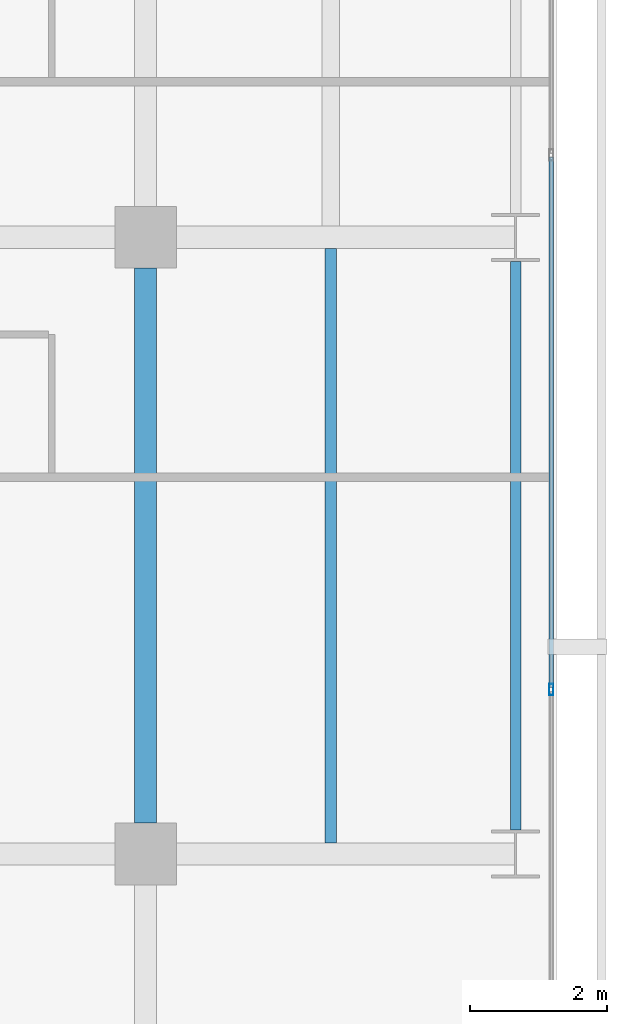
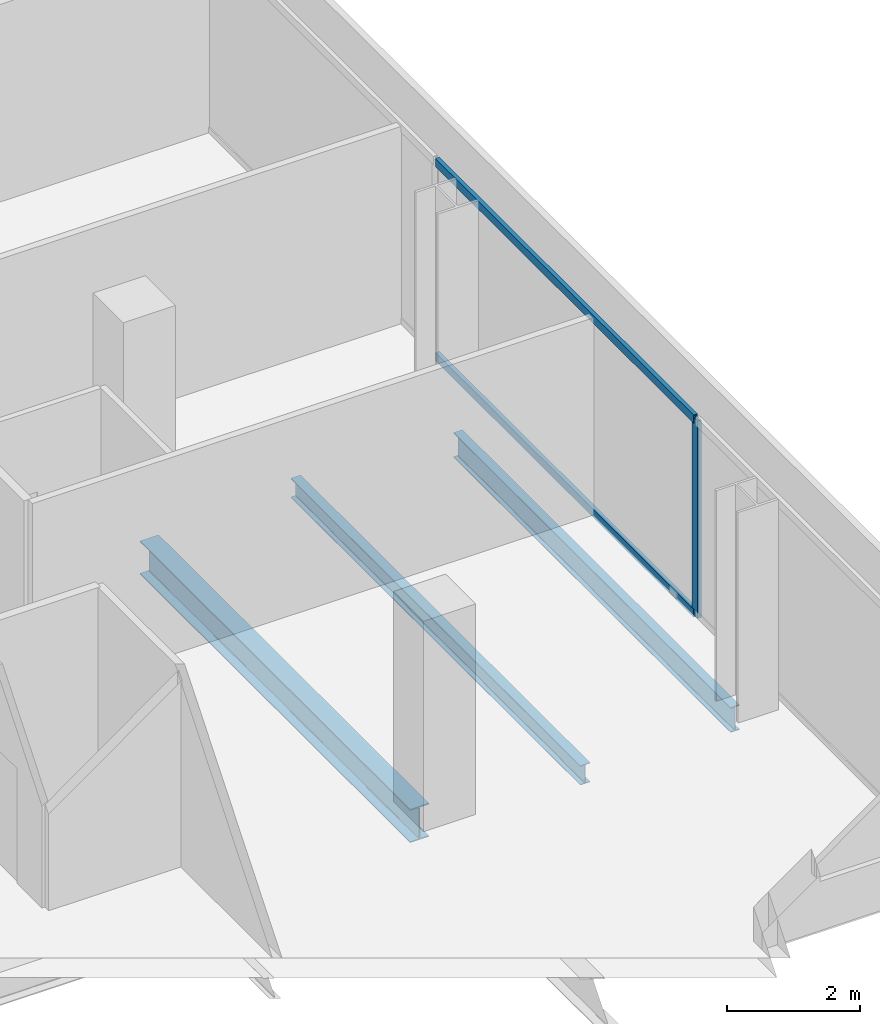
# One storey, part 17 of 40: 3 beams, 3 members, 1 element without a shape of its own.
"""IFC4 building model written with IfcOpenShell, lengths in metres."""

import ifcopenshell
import ifcopenshell.guid

model = None  # the IFC model being written
_history = None  # IfcOwnerHistory: only IFC2X3 demands one
_inside = {}  # id of a spatial element -> (the spatial element, [elements in it])
_under = {}  # id of a project, library or spatial element -> (it, [spatial elements below it])
_declared = {}  # id of a project -> (the project, [libraries it declares])
_typed = {}  # id of a type object -> (the type object, [elements of that type])
_made_of = {}  # id of a material, layer set ... -> (it, [elements and type objects made of it])


def new_model(schema):
    """Start an empty IFC model of exactly this schema.

    Asked for "IFC4X3", IfcOpenShell would pick the latest addendum, in which some entities
    have other attributes; the version numbers below select the first issue.
    IFC2X3 requires an IfcOwnerHistory on every rooted entity: one is made here for all.
    """
    global model, _history
    if schema == "IFC4X3":
        model = ifcopenshell.file(schema_version=(4, 3, 0, 0))
    else:
        model = ifcopenshell.file(schema=schema)
    _inside.clear()
    _under.clear()
    _declared.clear()
    _typed.clear()
    _made_of.clear()
    _history = None
    if model.schema == "IFC2X3":
        org = make("IfcOrganization", Name="unknown")
        user = make(
            "IfcPersonAndOrganization",
            ThePerson=make("IfcPerson", FamilyName="unknown"),
            TheOrganization=org,
        )
        app = make(
            "IfcApplication",
            ApplicationDeveloper=org,
            Version="unknown",
            ApplicationFullName="unknown",
            ApplicationIdentifier="unknown",
        )
        _history = make(
            "IfcOwnerHistory",
            OwningUser=user,
            OwningApplication=app,
            ChangeAction="ADDED",
            CreationDate=0,
        )
    return model


def make(cls, **values):
    """One entity of the class cls with the attributes given. An attribute that is None is left unset."""
    return model.create_entity(
        cls, **{name: value for name, value in values.items() if value is not None}
    )


def rooted(cls, **values):
    """An entity with a GlobalId (a new one), such as an element, a storey or a relation."""
    return make(cls, GlobalId=ifcopenshell.guid.new(), OwnerHistory=_history, **values)


def si_unit(unit_type, name, prefix=None):
    """IfcSIUnit, for example si_unit("LENGTHUNIT", "METRE", prefix="MILLI")."""
    return make("IfcSIUnit", UnitType=unit_type, Prefix=prefix, Name=name)


def assignment(units):
    """IfcUnitAssignment: the units of a project."""
    return None if units is None else make("IfcUnitAssignment", Units=units)


def point(xyz):
    """IfcCartesianPoint."""
    return None if xyz is None else make("IfcCartesianPoint", Coordinates=xyz)


def direction(xyz):
    """IfcDirection."""
    return None if xyz is None else make("IfcDirection", DirectionRatios=xyz)


def frame(location, z_axis=None, x_axis=None):
    """IfcAxis2Placement3D, a coordinate frame: its origin and axes. An axis left out is left unset."""
    return make(
        "IfcAxis2Placement3D",
        Location=point(location),
        Axis=direction(z_axis),
        RefDirection=direction(x_axis),
    )


def frame_2d(location, x_axis=None):
    """IfcAxis2Placement2D, a coordinate frame in the plane: its origin and x axis."""
    return make(
        "IfcAxis2Placement2D", Location=point(location), RefDirection=direction(x_axis)
    )


def origin():
    """The frame at (0, 0, 0) with its axes left unset."""
    return frame((0.0, 0.0, 0.0))


def origin_2d():
    """The frame at (0, 0) in the plane with its x axis left unset."""
    return frame_2d((0.0, 0.0))


def place(relative_to, where):
    """IfcLocalPlacement: puts the frame where relative to a parent placement (None: the world)."""
    return make(
        "IfcLocalPlacement", PlacementRelTo=relative_to, RelativePlacement=where
    )


def context(
    kind, dimensions, precision=None, world=None, true_north=None, identifier=None
):
    """IfcGeometricRepresentationContext, for example the 3D "Model" context."""
    return make(
        "IfcGeometricRepresentationContext",
        ContextIdentifier=identifier,
        ContextType=kind,
        CoordinateSpaceDimension=dimensions,
        Precision=precision,
        WorldCoordinateSystem=world,
        TrueNorth=true_north,
    )


def subcontext(parent, identifier, kind, view, scale=None):
    """IfcGeometricRepresentationSubContext, for example "Body" below "Model"."""
    return make(
        "IfcGeometricRepresentationSubContext",
        ContextIdentifier=identifier,
        ContextType=kind,
        ParentContext=parent,
        TargetScale=scale,
        TargetView=view,
    )


def project(units=None, contexts=None):
    """IfcProject with its units and contexts."""
    return rooted(
        "IfcProject",
        Name="project",
        RepresentationContexts=contexts,
        UnitsInContext=assignment(units),
    )


def spatial(cls, under=None, at=None, **own):
    """A site, building, storey or space (cls), placed at a placement, below another one or the project."""
    s = rooted(cls, ObjectPlacement=at, **own)
    if under is not None:
        _under.setdefault(under.id(), (under, []))[1].append(s)
    return s


def profile(cls, at=None, kind="AREA", **sizes):
    """A parametric profile (cls). Its sizes go by their IFC names, for example OverallWidth=200.0."""
    return make(cls, ProfileType=kind, Position=at, **sizes)


def hollow_rectangle(**sizes):
    """IfcRectangleHollowProfileDef."""
    return profile("IfcRectangleHollowProfileDef", **sizes)


def i_section(**sizes):
    """IfcIShapeProfileDef."""
    return profile("IfcIShapeProfileDef", **sizes)


def extrude(swept, where, along, depth):
    """IfcExtrudedAreaSolid: the profile swept, set in the frame where, extruded along a direction by depth."""
    return make(
        "IfcExtrudedAreaSolid",
        SweptArea=swept,
        Position=where,
        ExtrudedDirection=direction(along),
        Depth=depth,
    )


def shape(context_of_items, identifier, shape_type, items):
    """IfcShapeRepresentation: the items that make up one representation, for example the "Body"."""
    return make(
        "IfcShapeRepresentation",
        ContextOfItems=context_of_items,
        RepresentationIdentifier=identifier,
        RepresentationType=shape_type,
        Items=items,
    )


def material(Name=None, Category=None):
    """IfcMaterial."""
    return make("IfcMaterial", Name=Name, Category=Category)


def layer(
    of_material, thickness, ventilated=None, Name=None, Category=None, Priority=None
):
    """IfcMaterialLayer: one layer of a wall or slab, of a material (None: an air gap)."""
    return make(
        "IfcMaterialLayer",
        Material=of_material,
        LayerThickness=thickness,
        IsVentilated=ventilated,
        Name=Name,
        Category=Category,
        Priority=Priority,
    )


def layer_set(layers, Name=None):
    """IfcMaterialLayerSet."""
    return make("IfcMaterialLayerSet", MaterialLayers=layers, LayerSetName=Name)


def material_profile(
    of_material, cross_section, Name=None, Category=None, Priority=None
):
    """IfcMaterialProfile: a cross section and its material."""
    return make(
        "IfcMaterialProfile",
        Name=Name,
        Material=of_material,
        Profile=cross_section,
        Priority=Priority,
        Category=Category,
    )


def profile_set(profiles, Name=None, composite=None):
    """IfcMaterialProfileSet."""
    return make(
        "IfcMaterialProfileSet",
        Name=Name,
        MaterialProfiles=profiles,
        CompositeProfile=composite,
    )


def made_of(thing, what):
    """Note that an element or type object is made of a material, layer set ...; save() writes the relation."""
    if what is not None:
        _made_of.setdefault(what.id(), (what, []))[1].append(thing)
    return thing


def type_object(cls, material=None, **own):
    """A type object (cls), such as IfcWallType, which elements share."""
    return made_of(rooted(cls, **own), material)


def element(
    cls,
    number,
    at=None,
    inside=None,
    cuts=None,
    type_object=None,
    material=None,
    context=None,
    identifier="Body",
    shape_type=None,
    held_by="IfcProductDefinitionShape",
    body=None,
    shapes=None,
    **own,
):
    """One element of the class cls, such as IfcWall. Its Tag is "e" and its number.

    at: its placement. inside: the storey or other place that contains it. cuts: it is an
    opening in that element (IfcRelVoidsElement). A single representation is given by context,
    identifier, shape_type and body (its items); several are given by shapes. held_by: the class
    of the entity that holds the representations. save() writes the other relations.
    """
    e = rooted(cls, Tag="e%d" % number, ObjectPlacement=at, **own)
    if body is not None:
        shapes = [shape(context, identifier, shape_type, body)]
    if shapes is not None:
        e.Representation = make(held_by, Representations=shapes)
    if inside is not None:
        _inside.setdefault(inside.id(), (inside, []))[1].append(e)
    if cuts is not None:
        rooted(
            "IfcRelVoidsElement", RelatingBuildingElement=cuts, RelatedOpeningElement=e
        )
    if type_object is not None:
        _typed.setdefault(type_object.id(), (type_object, []))[1].append(e)
    return made_of(e, material)


def aggregate(whole, parts):
    """IfcRelAggregates: a whole, such as a stair, and the parts it consists of."""
    return rooted("IfcRelAggregates", RelatingObject=whole, RelatedObjects=parts)


def save(model, path):
    """Write the relations noted so far, then the file.

    IfcRelAggregates (storeys below a building ...), IfcRelContainedInSpatialStructure (elements
    in a storey), IfcRelDefinesByType, IfcRelAssociatesMaterial and IfcRelDeclares: one each for
    every whole, place, type object, material and project.
    """
    for whole, parts in _under.values():
        aggregate(whole, parts)
    for where, things in _inside.values():
        rooted(
            "IfcRelContainedInSpatialStructure",
            RelatedElements=things,
            RelatingStructure=where,
        )
    for kind, things in _typed.values():
        rooted("IfcRelDefinesByType", RelatedObjects=things, RelatingType=kind)
    for what, things in _made_of.values():
        rooted("IfcRelAssociatesMaterial", RelatedObjects=things, RelatingMaterial=what)
    for by, libraries in _declared.values():
        rooted("IfcRelDeclares", RelatingContext=by, RelatedDefinitions=libraries)
    model.write(path)


model = new_model("IFC4")

# Units and contexts
model_context = context("Model", 3, precision=1e-05, world=origin(), true_north=direction((0.0, 1.0)))
body_context = subcontext(model_context, "Body", "Model", "MODEL_VIEW")
ifc_project = project(units=[si_unit("LENGTHUNIT", "METRE"), si_unit("AREAUNIT", "SQUARE_METRE"), si_unit("VOLUMEUNIT", "CUBIC_METRE"), si_unit("PLANEANGLEUNIT", "RADIAN"), si_unit("MASSUNIT", "GRAM", prefix="KILO")], contexts=[model_context])

# Site, building, storey
site_placement = place(None, origin())
site = spatial("IfcSite", under=ifc_project, at=site_placement, CompositionType="ELEMENT")
building_placement = place(site_placement, origin())
building = spatial("IfcBuilding", under=site, at=building_placement, Name="Maruvema Waterfront Hotel and Observation Tower", CompositionType="ELEMENT")
storey_placement = place(building_placement, frame((0.0, 0.0, 88.550048828125)))
storey = spatial("IfcBuildingStorey", under=building, at=storey_placement, Name="L21", CompositionType="ELEMENT", Elevation=88.550048828125)

# Curtain wall, members
ifc_material_1 = material(Name="Anodised bronze aluminium and solar-control low-E IGU", Category="aluminium")
ifc_layer = layer(ifc_material_1, 0.159912109375, Name="Zone 1 Bronze Inner Thermal Curtain Wall System CW-02")
ifc_layer_set = layer_set([ifc_layer], Name="Anodised bronze aluminium and solar-control low-E IGU")
curtain_wall_type = type_object("IfcCurtainWallType", Name="Zone 1 Bronze Inner Thermal Curtain Wall System CW-02", PredefinedType="USERDEFINED", material=ifc_layer_set)
curtain_wall_placement = place(storey_placement, origin())
curtain_wall = element("IfcCurtainWall", 1, at=curtain_wall_placement, inside=storey, type_object=curtain_wall_type, Name="L21 Curtain Wall CW-L21-E", ObjectType="UNITISED CURTAIN WALL", PredefinedType="USERDEFINED")
ifc_material_2 = material(Name="Anodised architectural bronze aluminium", Category="aluminium")
ifc_material_profile_1 = material_profile(ifc_material_2, hollow_rectangle(XDim=0.070068359375, YDim=0.14990234375, WallThickness=0.00390625, at=origin_2d()), Name="ALU-T70x150")
ifc_profile_set_1 = profile_set([ifc_material_profile_1], Name="Anodised architectural bronze aluminium")
member_type_1 = type_object("IfcMemberType", Name="Curtain Wall Horizontal Transom ALU-T70x150", PredefinedType="USERDEFINED", material=ifc_profile_set_1)
member_1_placement = place(storey_placement, frame((64.719970703125, 11.429931640625, 0.030029296875), z_axis=(0.0, 1.0, 0.0), x_axis=(-1.0, 0.0, 0.0)))
member_1 = element("IfcMember", 2, at=member_1_placement, type_object=member_type_1, Name="CW-02 transom 2.1", ObjectType="TRANSOM", PredefinedType="USERDEFINED", context=body_context, shape_type="SweptSolid", body=[
    extrude(hollow_rectangle(XDim=0.070068359375, YDim=0.14990234375, WallThickness=0.00390625, at=origin_2d()), origin(), (0.0, 0.0, 1.0), 7.739990234375),
])
member_2_placement = place(storey_placement, frame((64.719970703125, 11.429931640625, 3.579833984375), z_axis=(0.0, 1.0, 0.0), x_axis=(-1.0, 0.0, 0.0)))
member_2 = element("IfcMember", 3, at=member_2_placement, type_object=member_type_1, Name="CW-02 transom 2.2", ObjectType="TRANSOM", PredefinedType="USERDEFINED", context=body_context, shape_type="SweptSolid", body=[
    extrude(hollow_rectangle(XDim=0.070068359375, YDim=0.14990234375, WallThickness=0.00390625, at=origin_2d()), origin(), (0.0, 0.0, 1.0), 7.739990234375),
])
ifc_material_3 = material(Name="Anodised architectural bronze aluminium", Category="aluminium")
ifc_material_profile_2 = material_profile(ifc_material_3, hollow_rectangle(XDim=0.06494140625, YDim=0.1650390625, WallThickness=0.00390625, at=origin_2d()), Name="ALU-M65x165")
ifc_profile_set_2 = profile_set([ifc_material_profile_2], Name="Anodised architectural bronze aluminium")
member_type_2 = type_object("IfcMemberType", Name="Curtain Wall Primary Mullion ALU-M65x165", PredefinedType="MULLION", material=ifc_profile_set_2)
member_3_placement = place(storey_placement, frame((64.719970703125, 11.39990234375, 0.0), z_axis=(0.0, 0.0, 1.0), x_axis=(-1.0, 0.0, 0.0)))
member_3 = element("IfcMember", 4, at=member_3_placement, type_object=member_type_2, Name="CW-02 mullion 2", PredefinedType="MULLION", context=body_context, shape_type="SweptSolid", body=[
    extrude(hollow_rectangle(XDim=0.06494140625, YDim=0.1650390625, WallThickness=0.00390625, at=origin_2d()), origin(), (0.0, 0.0, 1.0), 3.60986328125),
])
aggregate(curtain_wall, [member_3, member_1, member_2])

# Beams
ifc_material_4 = material(Name="Steel ASTM A572 Grade 50", Category="steel")
ifc_material_profile_3 = material_profile(ifc_material_4, i_section(OverallWidth=0.153076171875, OverallDepth=0.455078125, WebThickness=0.008056640625, FlangeThickness=0.01318359375, FilletRadius=0.014892578125, at=origin_2d()), Name="W460x60.0")
ifc_profile_set_3 = profile_set([ifc_material_profile_3], Name="Steel ASTM A572 Grade 50")
beam_type_1 = type_object("IfcBeamType", Name="Perimeter Spandrel Beam W460x60.0", PredefinedType="SPANDREL", material=ifc_profile_set_3)
beam_1_placement = place(storey_placement, frame((64.199951171875, 9.35009765625, -0.467529296875), z_axis=(0.0, 1.0, 0.0), x_axis=(-1.0, 0.0, 0.0)))
element("IfcBeam", 5, at=beam_1_placement, inside=storey, type_object=beam_type_1, Name="L21 Floor Girder NS-33", PredefinedType="SPANDREL", context=body_context, shape_type="SweptSolid", body=[
    extrude(i_section(OverallWidth=0.153076171875, OverallDepth=0.455078125, WebThickness=0.008056640625, FlangeThickness=0.01318359375, FilletRadius=0.014892578125, at=origin_2d()), origin(), (0.0, 0.0, 1.0), 8.2998046875),
])
ifc_material_5 = material(Name="Steel ASTM A572 Grade 50", Category="steel")
ifc_material_profile_4 = material_profile(ifc_material_5, i_section(OverallWidth=0.323974609375, OverallDepth=0.611083984375, WebThickness=0.0126953125, FlangeThickness=0.01904296875, FilletRadius=0.01806640625, at=origin_2d()), Name="W610x155.0")
ifc_profile_set_4 = profile_set([ifc_material_profile_4], Name="Steel ASTM A572 Grade 50")
beam_type_2 = type_object("IfcBeamType", Name="Primary Floor Girder W610x155.0", PredefinedType="BEAM", material=ifc_profile_set_4)
beam_2_placement = place(storey_placement, frame((58.800048828125, 9.449951171875, -0.545654296875), z_axis=(0.0, 1.0, 0.0), x_axis=(-1.0, 0.0, 0.0)))
element("IfcBeam", 6, at=beam_2_placement, inside=storey, type_object=beam_type_2, Name="L21 Floor Girder NS-28", PredefinedType="BEAM", context=body_context, shape_type="SweptSolid", body=[
    extrude(i_section(OverallWidth=0.323974609375, OverallDepth=0.611083984375, WebThickness=0.0126953125, FlangeThickness=0.01904296875, FilletRadius=0.01806640625, at=origin_2d()), origin(), (0.0, 0.0, 1.0), 8.10009765625),
])
ifc_material_6 = material(Name="Steel ASTM A572 Grade 50", Category="steel")
ifc_material_profile_5 = material_profile(ifc_material_6, i_section(OverallWidth=0.1708984375, OverallDepth=0.35498046875, WebThickness=0.007080078125, FlangeThickness=0.01171875, FilletRadius=0.014892578125, at=origin_2d()), Name="W360x51.0")
ifc_profile_set_5 = profile_set([ifc_material_profile_5], Name="Steel ASTM A572 Grade 50")
beam_type_3 = type_object("IfcBeamType", Name="Secondary Floor Joist W360x51.0", PredefinedType="JOIST", material=ifc_profile_set_5)
beam_3_placement = place(storey_placement, frame((61.5, 9.162109375, -0.41748046875), z_axis=(0.0, 1.0, 0.0), x_axis=(-1.0, 0.0, 0.0)))
element("IfcBeam", 7, at=beam_3_placement, inside=storey, type_object=beam_type_3, Name="L21 Secondary Floor Joist JS-21", PredefinedType="JOIST", context=body_context, shape_type="SweptSolid", body=[
    extrude(i_section(OverallWidth=0.1708984375, OverallDepth=0.35498046875, WebThickness=0.007080078125, FlangeThickness=0.01171875, FilletRadius=0.014892578125, at=origin_2d()), origin(), (0.0, 0.0, 1.0), 8.67578125),
])

save(model, "model.ifc")
